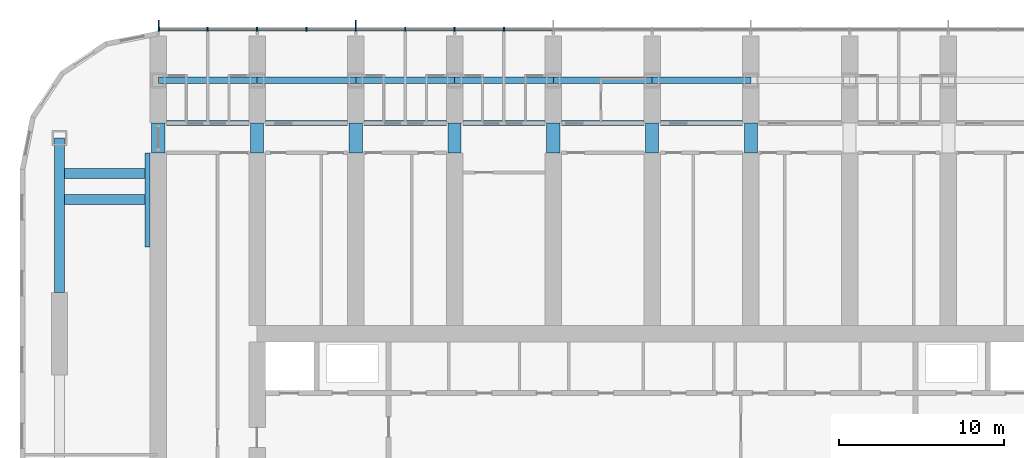
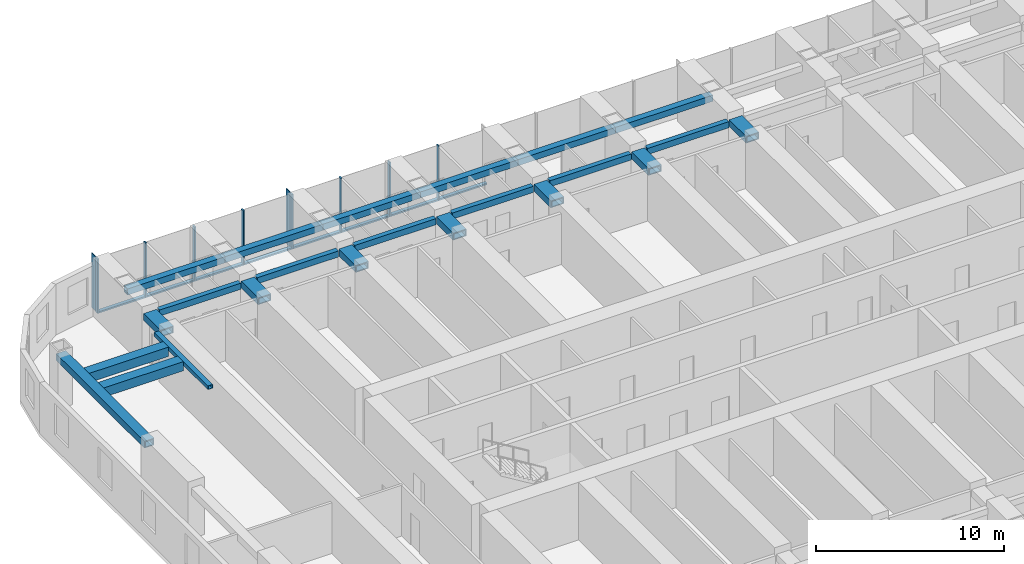
# One storey, part 4 of 23: 23 beams, 18 members, 1 element without a shape of its own.
"""IFC4 building model written with IfcOpenShell, lengths in metres."""

from ifc_helpers import new_model, si_unit, direction, frame, origin, origin_2d, place, context, subcontext, project, spatial, rectangle, hollow_rectangle, extrude, material, material_profile, profile_set, type_object, element, aggregate, save


model = new_model("IFC4")

# Units and contexts
model_context = context("Model", 3, precision=1e-05, world=origin(), true_north=direction((0.0, 1.0)))
body_context = subcontext(model_context, "Body", "Model", "MODEL_VIEW")
ifc_project = project(units=[si_unit("LENGTHUNIT", "METRE"), si_unit("AREAUNIT", "SQUARE_METRE"), si_unit("VOLUMEUNIT", "CUBIC_METRE"), si_unit("PLANEANGLEUNIT", "RADIAN"), si_unit("MASSUNIT", "GRAM", prefix="KILO")], contexts=[model_context])

# Site, building, storey
site_placement = place(None, origin())
site = spatial("IfcSite", under=ifc_project, at=site_placement, CompositionType="ELEMENT")
building_placement = place(site_placement, origin())
building = spatial("IfcBuilding", under=site, at=building_placement, Name="Orbita Commons", CompositionType="ELEMENT")
storey_placement = place(building_placement, frame((0.0, 0.0, 50.199951171875)))
storey = spatial("IfcBuildingStorey", under=building, at=storey_placement, Name="L12", CompositionType="ELEMENT", Elevation=50.199951171875)

# Curtain wall, members
ifc_material_1 = material(Name="Anodised aluminium frame, pale silver", Category="aluminium")
curtain_wall_type = type_object("IfcCurtainWallType", Name="Unitised curtain wall CW-T, vision and spandrel", PredefinedType="NOTDEFINED", material=ifc_material_1)
curtain_wall_placement = place(storey_placement, origin())
curtain_wall = element("IfcCurtainWall", 1, at=curtain_wall_placement, inside=storey, type_object=curtain_wall_type, Name="Curtain wall north L12", PredefinedType="NOTDEFINED")
ifc_material_2 = material(Name="Anodised aluminium, pale silver", Category="aluminium")
ifc_material_profile_1 = material_profile(ifc_material_2, rectangle(XDim=0.080078125, YDim=0.219970703125, at=origin_2d()), Name="AL 80x220")
ifc_profile_set_1 = profile_set([ifc_material_profile_1], Name="Anodised aluminium, pale silver")
member_type_1 = type_object("IfcMemberType", Name="Curtain wall mullion 80x220", PredefinedType="MULLION", material=ifc_profile_set_1)
member_1_placement = place(storey_placement, frame((33.0, 56.7099609375, -0.25), z_axis=(0.0, 0.0, 1.0), x_axis=(-1.0, 0.0, 0.0)))
member_1 = element("IfcMember", 2, at=member_1_placement, type_object=member_type_1, Name="Mullion 14 CW-L12-N", PredefinedType="MULLION", context=body_context, shape_type="SweptSolid", body=[
    extrude(rectangle(XDim=0.080078125, YDim=0.219970703125, at=origin_2d()), origin(), (0.0, 0.0, 1.0), 3.550048828125),
])
member_2_placement = place(storey_placement, frame((30.0, 56.7099609375, -0.25), z_axis=(0.0, 0.0, 1.0), x_axis=(-1.0, 0.0, 0.0)))
member_2 = element("IfcMember", 3, at=member_2_placement, type_object=member_type_1, Name="Mullion 15 CW-L12-N", PredefinedType="MULLION", context=body_context, shape_type="SweptSolid", body=[
    extrude(rectangle(XDim=0.080078125, YDim=0.219970703125, at=origin_2d()), origin(), (0.0, 0.0, 1.0), 3.550048828125),
])
member_3_placement = place(storey_placement, frame((27.0, 56.7099609375, -0.25), z_axis=(0.0, 0.0, 1.0), x_axis=(-1.0, 0.0, 0.0)))
member_3 = element("IfcMember", 4, at=member_3_placement, type_object=member_type_1, Name="Mullion 16 CW-L12-N", PredefinedType="MULLION", context=body_context, shape_type="SweptSolid", body=[
    extrude(rectangle(XDim=0.080078125, YDim=0.219970703125, at=origin_2d()), origin(), (0.0, 0.0, 1.0), 3.550048828125),
])
member_4_placement = place(storey_placement, frame((24.0, 56.7099609375, -0.25), z_axis=(0.0, 0.0, 1.0), x_axis=(-1.0, 0.0, 0.0)))
member_4 = element("IfcMember", 5, at=member_4_placement, type_object=member_type_1, Name="Mullion 17 CW-L12-N", PredefinedType="MULLION", context=body_context, shape_type="SweptSolid", body=[
    extrude(rectangle(XDim=0.080078125, YDim=0.219970703125, at=origin_2d()), origin(), (0.0, 0.0, 1.0), 3.550048828125),
])
member_5_placement = place(storey_placement, frame((21.0, 56.7099609375, -0.25), z_axis=(0.0, 0.0, 1.0), x_axis=(-1.0, 0.0, 0.0)))
member_5 = element("IfcMember", 6, at=member_5_placement, type_object=member_type_1, Name="Mullion 18 CW-L12-N", PredefinedType="MULLION", context=body_context, shape_type="SweptSolid", body=[
    extrude(rectangle(XDim=0.080078125, YDim=0.219970703125, at=origin_2d()), origin(), (0.0, 0.0, 1.0), 3.550048828125),
])
member_6_placement = place(storey_placement, frame((18.0, 56.7099609375, -0.25), z_axis=(0.0, 0.0, 1.0), x_axis=(-1.0, 0.0, 0.0)))
member_6 = element("IfcMember", 7, at=member_6_placement, type_object=member_type_1, Name="Mullion 19 CW-L12-N", PredefinedType="MULLION", context=body_context, shape_type="SweptSolid", body=[
    extrude(rectangle(XDim=0.080078125, YDim=0.219970703125, at=origin_2d()), origin(), (0.0, 0.0, 1.0), 3.550048828125),
])
member_7_placement = place(storey_placement, frame((15.0, 56.7099609375, -0.25), z_axis=(0.0, 0.0, 1.0), x_axis=(-1.0, 0.0, 0.0)))
member_7 = element("IfcMember", 8, at=member_7_placement, type_object=member_type_1, Name="Mullion 20 CW-L12-N", PredefinedType="MULLION", context=body_context, shape_type="SweptSolid", body=[
    extrude(rectangle(XDim=0.080078125, YDim=0.219970703125, at=origin_2d()), origin(), (0.0, 0.0, 1.0), 3.550048828125),
])
member_8_placement = place(storey_placement, frame((12.0400390625, 56.7099609375, -0.25), z_axis=(0.0, 0.0, 1.0), x_axis=(-1.0, 0.0, 0.0)))
member_8 = element("IfcMember", 9, at=member_8_placement, type_object=member_type_1, Name="Mullion 21 CW-L12-N", PredefinedType="MULLION", context=body_context, shape_type="SweptSolid", body=[
    extrude(rectangle(XDim=0.080078125, YDim=0.219970703125, at=origin_2d()), origin(), (0.0, 0.0, 1.0), 3.550048828125),
])
ifc_material_3 = material(Name="Anodised aluminium, pale silver", Category="aluminium")
ifc_material_profile_2 = material_profile(ifc_material_3, rectangle(XDim=0.219970703125, YDim=0.10009765625, at=origin_2d()), Name="AL 220x100")
ifc_profile_set_2 = profile_set([ifc_material_profile_2], Name="Anodised aluminium, pale silver")
member_type_2 = type_object("IfcMemberType", Name="Curtain wall stack transom 220x100", PredefinedType="USERDEFINED", material=ifc_profile_set_2)
member_9_placement = place(storey_placement, frame((35.9599609375, 56.7099609375, -0.199951171875), z_axis=(-1.0, 0.0, 0.0), x_axis=(0.0, -1.0, 0.0)))
member_9 = element("IfcMember", 10, at=member_9_placement, type_object=member_type_2, Name="Transom 13.1 CW-L12-N", ObjectType="TRANSOM", PredefinedType="USERDEFINED", context=body_context, shape_type="SweptSolid", body=[
    extrude(rectangle(XDim=0.219970703125, YDim=0.10009765625, at=origin_2d()), origin(), (0.0, 0.0, 1.0), 2.919921875),
])
member_10_placement = place(storey_placement, frame((32.9599609375, 56.7099609375, -0.199951171875), z_axis=(-1.0, 0.0, 0.0), x_axis=(0.0, -1.0, 0.0)))
member_10 = element("IfcMember", 11, at=member_10_placement, type_object=member_type_2, Name="Transom 14.1 CW-L12-N", ObjectType="TRANSOM", PredefinedType="USERDEFINED", context=body_context, shape_type="SweptSolid", body=[
    extrude(rectangle(XDim=0.219970703125, YDim=0.10009765625, at=origin_2d()), origin(), (0.0, 0.0, 1.0), 2.919921875),
])
member_11_placement = place(storey_placement, frame((29.9599609375, 56.7099609375, -0.199951171875), z_axis=(-1.0, 0.0, 0.0), x_axis=(0.0, -1.0, 0.0)))
member_11 = element("IfcMember", 12, at=member_11_placement, type_object=member_type_2, Name="Transom 15.1 CW-L12-N", ObjectType="TRANSOM", PredefinedType="USERDEFINED", context=body_context, shape_type="SweptSolid", body=[
    extrude(rectangle(XDim=0.219970703125, YDim=0.10009765625, at=origin_2d()), origin(), (0.0, 0.0, 1.0), 2.919921875),
])
member_12_placement = place(storey_placement, frame((26.9599609375, 56.7099609375, -0.199951171875), z_axis=(-1.0, 0.0, 0.0), x_axis=(0.0, -1.0, 0.0)))
member_12 = element("IfcMember", 13, at=member_12_placement, type_object=member_type_2, Name="Transom 16.1 CW-L12-N", ObjectType="TRANSOM", PredefinedType="USERDEFINED", context=body_context, shape_type="SweptSolid", body=[
    extrude(rectangle(XDim=0.219970703125, YDim=0.10009765625, at=origin_2d()), origin(), (0.0, 0.0, 1.0), 2.919921875),
])
member_13_placement = place(storey_placement, frame((23.9599609375, 56.7099609375, -0.199951171875), z_axis=(-1.0, 0.0, 0.0), x_axis=(0.0, -1.0, 0.0)))
member_13 = element("IfcMember", 14, at=member_13_placement, type_object=member_type_2, Name="Transom 17.1 CW-L12-N", ObjectType="TRANSOM", PredefinedType="USERDEFINED", context=body_context, shape_type="SweptSolid", body=[
    extrude(rectangle(XDim=0.219970703125, YDim=0.10009765625, at=origin_2d()), origin(), (0.0, 0.0, 1.0), 2.919921875),
])
member_14_placement = place(storey_placement, frame((20.9599609375, 56.7099609375, -0.199951171875), z_axis=(-1.0, 0.0, 0.0), x_axis=(0.0, -1.0, 0.0)))
member_14 = element("IfcMember", 15, at=member_14_placement, type_object=member_type_2, Name="Transom 18.1 CW-L12-N", ObjectType="TRANSOM", PredefinedType="USERDEFINED", context=body_context, shape_type="SweptSolid", body=[
    extrude(rectangle(XDim=0.219970703125, YDim=0.10009765625, at=origin_2d()), origin(), (0.0, 0.0, 1.0), 2.919921875),
])
member_15_placement = place(storey_placement, frame((17.9599609375, 56.7099609375, -0.199951171875), z_axis=(-1.0, 0.0, 0.0), x_axis=(0.0, -1.0, 0.0)))
member_15 = element("IfcMember", 16, at=member_15_placement, type_object=member_type_2, Name="Transom 19.1 CW-L12-N", ObjectType="TRANSOM", PredefinedType="USERDEFINED", context=body_context, shape_type="SweptSolid", body=[
    extrude(rectangle(XDim=0.219970703125, YDim=0.10009765625, at=origin_2d()), origin(), (0.0, 0.0, 1.0), 2.919921875),
])
member_16_placement = place(storey_placement, frame((14.9599609375, 56.7099609375, -0.199951171875), z_axis=(-1.0, 0.0, 0.0), x_axis=(0.0, -1.0, 0.0)))
member_16 = element("IfcMember", 17, at=member_16_placement, type_object=member_type_2, Name="Transom 20.1 CW-L12-N", ObjectType="TRANSOM", PredefinedType="USERDEFINED", context=body_context, shape_type="SweptSolid", body=[
    extrude(rectangle(XDim=0.219970703125, YDim=0.10009765625, at=origin_2d()), origin(), (0.0, 0.0, 1.0), 2.8798828125),
])

# Beams
ifc_material_4 = material(Name="Steel ASTM A572 Gr 50 welded plate", Category="steel")
ifc_material_profile_3 = material_profile(ifc_material_4, hollow_rectangle(XDim=0.60009765625, YDim=0.60009765625, WallThickness=0.06005859375, at=origin_2d()), Name="BOX 600x600x60")
ifc_profile_set_3 = profile_set([ifc_material_profile_3], Name="Steel ASTM A572 Gr 50 welded plate")
beam_type_1 = type_object("IfcBeamType", Name="Stair trimmer beam BOX 600x600x60", PredefinedType="BEAM", material=ifc_profile_set_3)
for number, where, z_axis, x_axis, name in (
    (18, (6.300048828125, 46.375, 3.0), (1.0, 0.0, 0.0), (0.0, 1.0, 0.0), "Neighbourhood stair L13 to L14 transfer beam 1"),
    (19, (6.300048828125, 47.93505859375, 3.0), (1.0, 0.0, 0.0), (0.0, 1.0, 0.0), "Neighbourhood stair L13 to L14 transfer beam 2"),
):
    element("IfcBeam", number, at=place(storey_placement, frame(where, z_axis=z_axis, x_axis=x_axis)), inside=storey, type_object=beam_type_1, Name=name, PredefinedType="BEAM", context=body_context, shape_type="SweptSolid", body=[
        extrude(hollow_rectangle(XDim=0.60009765625, YDim=0.60009765625, WallThickness=0.06005859375, at=origin_2d()), origin(), (0.0, 0.0, 1.0), 4.89990234375),
    ])
ifc_material_5 = material(Name="Steel ASTM A572 Gr 50 welded plate", Category="steel")
ifc_material_profile_4 = material_profile(ifc_material_5, hollow_rectangle(XDim=0.300048828125, YDim=0.39990234375, WallThickness=0.0400390625, at=origin_2d()), Name="BOX 400x300x40")
ifc_profile_set_4 = profile_set([ifc_material_profile_4], Name="Steel ASTM A572 Gr 50 welded plate")
beam_type_2 = type_object("IfcBeamType", Name="Steel corridor link BOX 400x300x40", PredefinedType="BEAM", material=ifc_profile_set_4)
for number, where, z_axis, x_axis, name in (
    (20, (12.5, 51.0, 3.10009765625), (1.0, 0.0, 0.0), (0.0, 1.0, 0.0), "Corridor beam NB 3-4 L12"),
    (21, (18.5, 51.0, 3.10009765625), (1.0, 0.0, 0.0), (0.0, 1.0, 0.0), "Corridor beam NB 4-5 L12"),
    (22, (24.5, 51.0, 3.10009765625), (1.0, 0.0, 0.0), (0.0, 1.0, 0.0), "Corridor beam NB 5-6 L12"),
    (23, (30.5, 51.0, 3.10009765625), (1.0, 0.0, 0.0), (0.0, 1.0, 0.0), "Corridor beam NB 6-7 L12"),
    (24, (36.5, 51.0, 3.10009765625), (1.0, 0.0, 0.0), (0.0, 1.0, 0.0), "Corridor beam NB 7-8 L12"),
    (25, (42.5, 51.0, 3.10009765625), (1.0, 0.0, 0.0), (0.0, 1.0, 0.0), "Corridor beam NB 8-9 L12"),
):
    element("IfcBeam", number, at=place(storey_placement, frame(where, z_axis=z_axis, x_axis=x_axis)), inside=storey, type_object=beam_type_2, Name=name, PredefinedType="BEAM", context=body_context, shape_type="SweptSolid", body=[
        extrude(hollow_rectangle(XDim=0.300048828125, YDim=0.39990234375, WallThickness=0.0400390625, at=origin_2d()), origin(), (0.0, 0.0, 1.0), 5.0),
    ])
ifc_material_6 = material(Name="Steel ASTM A572 Gr 50 welded plate", Category="steel")
ifc_material_profile_5 = material_profile(ifc_material_6, hollow_rectangle(XDim=0.800048828125, YDim=0.449951171875, WallThickness=0.06005859375, at=origin_2d()), Name="BOX 450x800x60")
ifc_profile_set_5 = profile_set([ifc_material_profile_5], Name="Steel ASTM A572 Gr 50 welded plate")
beam_type_3 = type_object("IfcBeamType", Name="Steel coupling link BOX 450x800x60", PredefinedType="LINTEL", material=ifc_profile_set_5)
for number, where, z_axis, x_axis, name in (
    (26, (12.0, 49.199951171875, 3.074951171875), (0.0, 1.0, 0.0), (-1.0, 0.0, 0.0), "Coupling beam 3 north L12"),
    (27, (18.0, 49.199951171875, 3.074951171875), (0.0, 1.0, 0.0), (-1.0, 0.0, 0.0), "Coupling beam 4 north L12"),
    (28, (24.0, 49.199951171875, 3.074951171875), (0.0, 1.0, 0.0), (-1.0, 0.0, 0.0), "Coupling beam 5 north L12"),
    (29, (30.0, 49.199951171875, 3.074951171875), (0.0, 1.0, 0.0), (-1.0, 0.0, 0.0), "Coupling beam 6 north L12"),
    (30, (36.0, 49.199951171875, 3.074951171875), (0.0, 1.0, 0.0), (-1.0, 0.0, 0.0), "Coupling beam 7 north L12"),
    (31, (42.0, 49.199951171875, 3.074951171875), (0.0, 1.0, 0.0), (-1.0, 0.0, 0.0), "Coupling beam 8 north L12"),
    (32, (48.0, 49.199951171875, 3.074951171875), (0.0, 1.0, 0.0), (-1.0, 0.0, 0.0), "Coupling beam 9 north L12"),
):
    element("IfcBeam", number, at=place(storey_placement, frame(where, z_axis=z_axis, x_axis=x_axis)), inside=storey, type_object=beam_type_3, Name=name, PredefinedType="LINTEL", context=body_context, shape_type="SweptSolid", body=[
        extrude(hollow_rectangle(XDim=0.800048828125, YDim=0.449951171875, WallThickness=0.06005859375, at=origin_2d()), origin(), (0.0, 0.0, 1.0), 1.800048828125),
    ])
ifc_material_7 = material(Name="Steel ASTM A572 Gr 50 welded plate", Category="steel")
ifc_material_profile_6 = material_profile(ifc_material_7, hollow_rectangle(XDim=0.60009765625, YDim=0.449951171875, WallThickness=0.06005859375, at=origin_2d()), Name="BOX 450x600x60")
ifc_profile_set_6 = profile_set([ifc_material_profile_6], Name="Steel ASTM A572 Gr 50 welded plate")
beam_type_4 = type_object("IfcBeamType", Name="Steel end frame link BOX 450x600x60", PredefinedType="BEAM", material=ifc_profile_set_6)
beam_1_placement = place(storey_placement, frame((6.0, 40.699951171875, 3.074951171875), z_axis=(0.0, 1.0, 0.0), x_axis=(-1.0, 0.0, 0.0)))
element("IfcBeam", 33, at=beam_1_placement, inside=storey, type_object=beam_type_4, Name="End frame beam 2 D-E L12", PredefinedType="BEAM", context=body_context, shape_type="SweptSolid", body=[
    extrude(hollow_rectangle(XDim=0.60009765625, YDim=0.449951171875, WallThickness=0.06005859375, at=origin_2d()), origin(), (0.0, 0.0, 1.0), 9.400146484375),
])
ifc_material_8 = material(Name="Steel ASTM A572 Gr 50 welded plate", Category="steel")
ifc_material_profile_7 = material_profile(ifc_material_8, hollow_rectangle(XDim=0.39990234375, YDim=0.39990234375, WallThickness=0.0400390625, at=origin_2d()), Name="BOX 400x400x40")
ifc_profile_set_7 = profile_set([ifc_material_profile_7], Name="Steel ASTM A572 Gr 50 welded plate")
beam_type_5 = type_object("IfcBeamType", Name="Steel spandrel BOX 400x400x40", PredefinedType="SPANDREL", material=ifc_profile_set_7)
for number, where, z_axis, x_axis, name in (
    (34, (12.0, 53.60009765625, 3.10009765625), (1.0, 0.0, 0.0), (0.0, 1.0, 0.0), "Spandrel beam E 3-4 L12"),
    (35, (18.0, 53.60009765625, 3.10009765625), (1.0, 0.0, 0.0), (0.0, 1.0, 0.0), "Spandrel beam E 4-5 L12"),
    (36, (24.0, 53.60009765625, 3.10009765625), (1.0, 0.0, 0.0), (0.0, 1.0, 0.0), "Spandrel beam E 5-6 L12"),
    (37, (30.0, 53.60009765625, 3.10009765625), (1.0, 0.0, 0.0), (0.0, 1.0, 0.0), "Spandrel beam E 6-7 L12"),
    (38, (36.0, 53.60009765625, 3.10009765625), (1.0, 0.0, 0.0), (0.0, 1.0, 0.0), "Spandrel beam E 7-8 L12"),
    (39, (42.0, 53.60009765625, 3.10009765625), (1.0, 0.0, 0.0), (0.0, 1.0, 0.0), "Spandrel beam E 8-9 L12"),
):
    element("IfcBeam", number, at=place(storey_placement, frame(where, z_axis=z_axis, x_axis=x_axis)), inside=storey, type_object=beam_type_5, Name=name, PredefinedType="SPANDREL", context=body_context, shape_type="SweptSolid", body=[
        extrude(hollow_rectangle(XDim=0.39990234375, YDim=0.39990234375, WallThickness=0.0400390625, at=origin_2d()), origin(), (0.0, 0.0, 1.0), 6.0),
    ])
ifc_material_9 = material(Name="Steel ASTM A572 Gr 50 welded plate", Category="steel")
ifc_material_profile_8 = material_profile(ifc_material_9, hollow_rectangle(XDim=0.300048828125, YDim=0.25, WallThickness=0.02490234375, at=origin_2d()), Name="BOX 250x300x25")
ifc_profile_set_8 = profile_set([ifc_material_profile_8], Name="Steel ASTM A572 Gr 50 welded plate")
beam_type_6 = type_object("IfcBeamType", Name="Trimmer ledger beam BOX 250x300x25", PredefinedType="BEAM", material=ifc_profile_set_8)
beam_2_placement = place(storey_placement, frame((11.35009765625, 43.466552734375, 3.175048828125), z_axis=(0.0, 1.0, 0.0), x_axis=(-1.0, 0.0, 0.0)))
element("IfcBeam", 40, at=beam_2_placement, inside=storey, type_object=beam_type_6, Name="Neighbourhood stair L13 to L14 trimmer ledger 1E", PredefinedType="BEAM", context=body_context, shape_type="SweptSolid", body=[
    extrude(hollow_rectangle(XDim=0.300048828125, YDim=0.25, WallThickness=0.02490234375, at=origin_2d()), origin(), (0.0, 0.0, 1.0), 5.7333984375),
])

# Member
ifc_material_10 = material(Name="Anodised aluminium, pale silver", Category="aluminium")
ifc_material_profile_9 = material_profile(ifc_material_10, rectangle(XDim=0.06005859375, YDim=0.449951171875, at=origin_2d()), Name="FIN 60x450")
ifc_profile_set_9 = profile_set([ifc_material_profile_9], Name="Anodised aluminium, pale silver")
member_type_3 = type_object("IfcMemberType", Name="Vertical fin 60x450 pale aluminium", PredefinedType="USERDEFINED", material=ifc_profile_set_9)
member_17_placement = place(storey_placement, frame((24.0, 57.044921875, -0.25), z_axis=(0.0, 0.0, 1.0), x_axis=(-1.0, 0.0, 0.0)))
member_17 = element("IfcMember", 41, at=member_17_placement, type_object=member_type_3, Name="Fin 17 CW-L12-N", ObjectType="FIN", PredefinedType="USERDEFINED", context=body_context, shape_type="SweptSolid", body=[
    extrude(rectangle(XDim=0.06005859375, YDim=0.449951171875, at=origin_2d()), origin(), (0.0, 0.0, 1.0), 3.550048828125),
])

member_18_placement = place(storey_placement, frame((12.0400390625, 57.044921875, -0.25), z_axis=(0.0, 0.0, 1.0), x_axis=(-1.0, 0.0, 0.0)))
member_18 = element("IfcMember", 42, at=member_18_placement, type_object=member_type_3, Name="Fin 21 CW-L12-N", ObjectType="FIN", PredefinedType="USERDEFINED", context=body_context, shape_type="SweptSolid", body=[
    extrude(rectangle(XDim=0.06005859375, YDim=0.449951171875, at=origin_2d()), origin(), (0.0, 0.0, 1.0), 3.550048828125),
])

aggregate(curtain_wall, [member_1, member_2, member_3, member_4, member_17, member_5, member_6, member_7, member_8, member_18, member_9, member_10, member_11, member_12, member_13, member_14, member_15, member_16])

save(model, "model.ifc")
